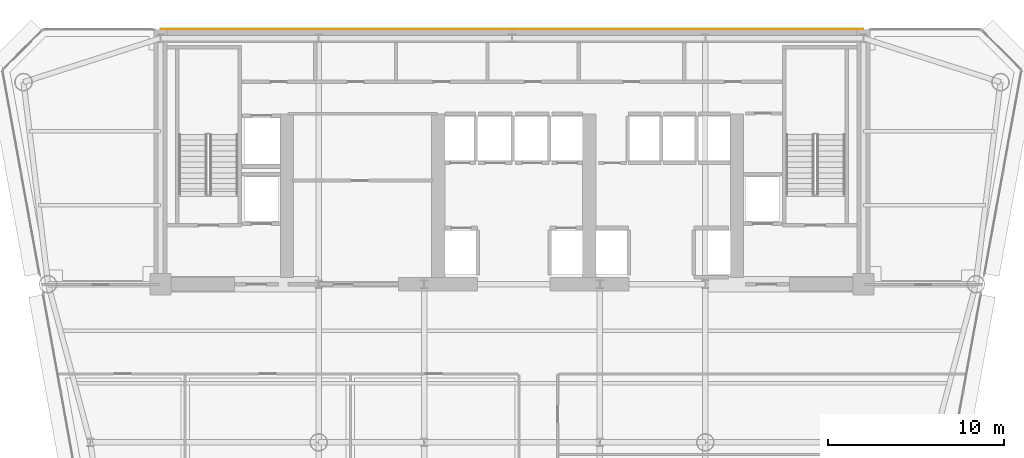
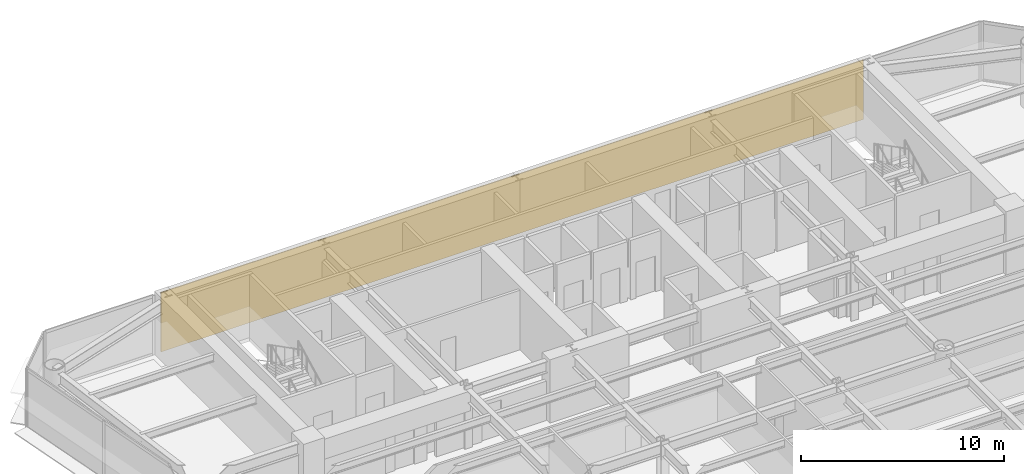
# One storey, part 13 of 14: 1 covering.
"""IFC4 building model written with IfcOpenShell, lengths in metres."""

from ifc_helpers import new_model, si_unit, direction, frame, origin, place, context, subcontext, project, spatial, polyline, outline, extrude, material, layer, layer_set, type_object, element, save


model = new_model("IFC4")

# Units and contexts
model_context = context("Model", 3, precision=1e-05, world=origin(), true_north=direction((0.0, 1.0)))
body_context = subcontext(model_context, "Body", "Model", "MODEL_VIEW")
ifc_project = project(units=[si_unit("LENGTHUNIT", "METRE"), si_unit("AREAUNIT", "SQUARE_METRE"), si_unit("VOLUMEUNIT", "CUBIC_METRE"), si_unit("PLANEANGLEUNIT", "RADIAN"), si_unit("MASSUNIT", "GRAM", prefix="KILO")], contexts=[model_context])

# Site, building, storey
site_placement = place(None, origin())
site = spatial("IfcSite", under=ifc_project, at=site_placement, CompositionType="ELEMENT")
building_placement = place(site_placement, origin())
building = spatial("IfcBuilding", under=site, at=building_placement, Name="Vaeldorn Concourse Tower", CompositionType="ELEMENT")
storey_placement = place(building_placement, frame((0.0, 0.0, 141.39990234375)))
storey = spatial("IfcBuildingStorey", under=building, at=storey_placement, Name="L36", CompositionType="ELEMENT", Elevation=141.39990234375)

# Covering
ifc_material = material(Name="Anodised Bronze Aluminium", Category="aluminium")
ifc_layer = layer(ifc_material, 0.050048828125)
ifc_layer_set = layer_set([ifc_layer], Name="Anodised Bronze Aluminium")
covering_type = type_object("IfcCoveringType", Name="COV-CLAD-BRONZE", PredefinedType="CLADDING", material=ifc_layer_set)
covering_placement = place(storey_placement, origin())
element("IfcCovering", 1, at=covering_placement, inside=storey, type_object=covering_type, Name="Rear Core Bronze Spandrel Cladding L36", PredefinedType="CLADDING", context=body_context, shape_type="SweptSolid", body=[
    extrude(outline(polyline([(14.0, 51.0), (54.0, 51.0), (54.0, 51.050048828125), (14.0, 51.050048828125), (14.0, 51.0)])), origin(), (0.0, 0.0, 1.0), 3.580078125),
])

save(model, "model.ifc")
